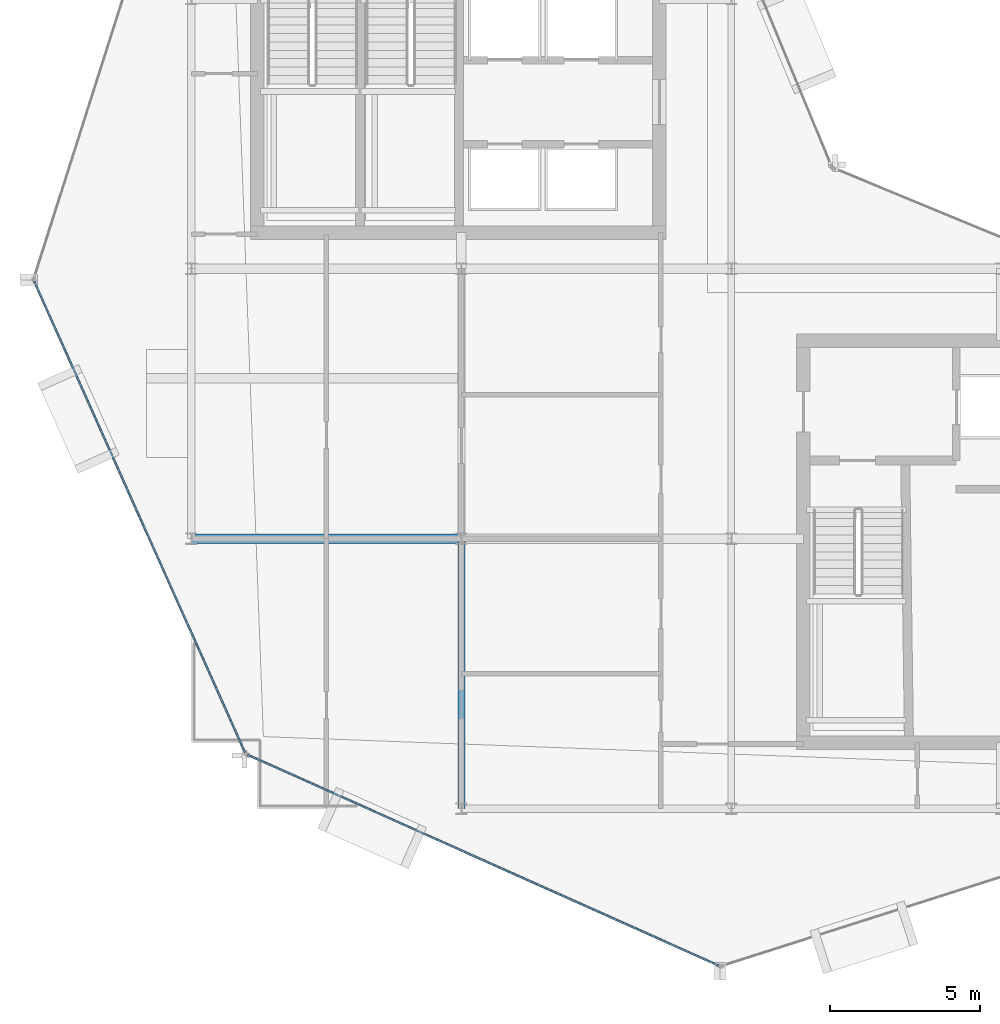
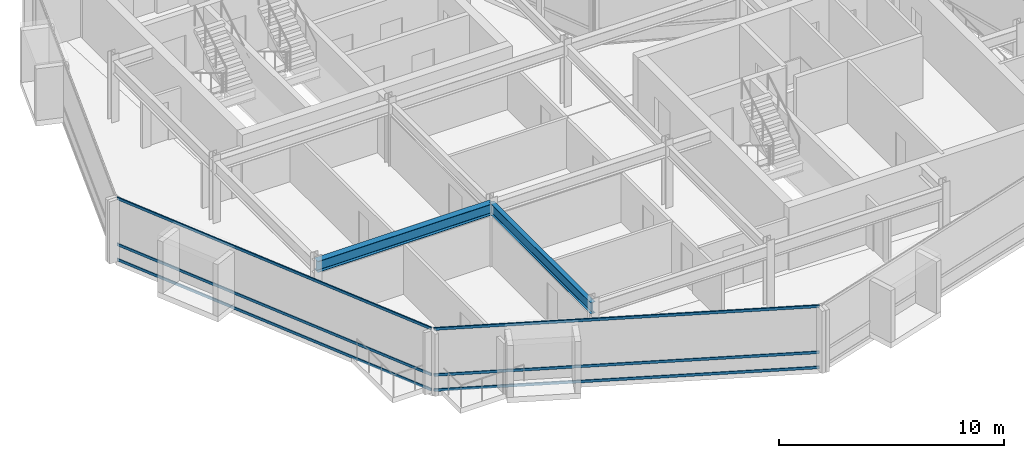
# One storey, part 3 of 19: 6 members, 2 beams, 2 elements without a shape of their own.
"""IFC4 building model written with IfcOpenShell, lengths in metres."""

from ifc_helpers import new_model, si_unit, direction, frame, origin, origin_2d, place, context, subcontext, project, spatial, hollow_rectangle, i_section, extrude, material, layer, layer_set, material_profile, profile_set, type_object, element, aggregate, save


model = new_model("IFC4")

# Units and contexts
model_context = context("Model", 3, precision=1e-05, world=origin(), true_north=direction((0.0, 1.0)))
body_context = subcontext(model_context, "Body", "Model", "MODEL_VIEW")
ifc_project = project(units=[si_unit("LENGTHUNIT", "METRE"), si_unit("AREAUNIT", "SQUARE_METRE"), si_unit("VOLUMEUNIT", "CUBIC_METRE"), si_unit("PLANEANGLEUNIT", "RADIAN"), si_unit("MASSUNIT", "GRAM", prefix="KILO")], contexts=[model_context])

# Site, building, storey
site_placement = place(None, origin())
site = spatial("IfcSite", under=ifc_project, at=site_placement, CompositionType="ELEMENT")
building_placement = place(site_placement, origin())
building = spatial("IfcBuilding", under=site, at=building_placement, Name="Solvaryn Broadcast Tower", CompositionType="ELEMENT")
storey_placement = place(building_placement, frame((0.0, 0.0, 293.699951171875)))
storey = spatial("IfcBuildingStorey", under=building, at=storey_placement, Name="L74", CompositionType="ELEMENT", Elevation=293.699951171875)

# Beams
ifc_material_1 = material(Name="Steel ASTM A992 Grade 50", Category="steel")
ifc_material_profile_1 = material_profile(ifc_material_1, i_section(OverallWidth=0.323974609375, OverallDepth=0.611083984375, WebThickness=0.0126953125, FlangeThickness=0.01904296875, FilletRadius=0.014892578125, at=origin_2d()))
ifc_profile_set_1 = profile_set([ifc_material_profile_1], Name="Steel ASTM A992 Grade 50")
beam_type_1 = type_object("IfcBeamType", Name="BM-B1-W24X104", PredefinedType="BEAM", material=ifc_profile_set_1)
beam_1_placement = place(storey_placement, frame((9.0, 18.0, 3.064453125), z_axis=(1.0, 0.0, 0.0), x_axis=(0.0, 1.0, 0.0)))
element("IfcBeam", 1, at=beam_1_placement, inside=storey, type_object=beam_type_1, Name="L74 Primary Beam X (9-18 @ Y=18)", PredefinedType="BEAM", context=body_context, shape_type="SweptSolid", body=[
    extrude(i_section(OverallWidth=0.323974609375, OverallDepth=0.611083984375, WebThickness=0.0126953125, FlangeThickness=0.01904296875, FilletRadius=0.014892578125, at=origin_2d()), origin(), (0.0, 0.0, 1.0), 9.0),
])
ifc_material_2 = material(Name="Steel ASTM A992 Grade 50", Category="steel")
ifc_material_profile_2 = material_profile(ifc_material_2, i_section(OverallWidth=0.22802734375, OverallDepth=0.60791015625, WebThickness=0.01123046875, FlangeThickness=0.017333984375, FilletRadius=0.014892578125, at=origin_2d()))
ifc_profile_set_2 = profile_set([ifc_material_profile_2], Name="Steel ASTM A992 Grade 50")
beam_type_2 = type_object("IfcBeamType", Name="BM-B2-W24X76", PredefinedType="BEAM", material=ifc_profile_set_2)
beam_2_placement = place(storey_placement, frame((18.0, 9.0, 3.066162109375), z_axis=(0.0, 1.0, 0.0), x_axis=(-1.0, 0.0, 0.0)))
element("IfcBeam", 2, at=beam_2_placement, inside=storey, type_object=beam_type_2, Name="L74 Primary Beam Y (9-18 @ X=18)", PredefinedType="BEAM", context=body_context, shape_type="SweptSolid", body=[
    extrude(i_section(OverallWidth=0.22802734375, OverallDepth=0.60791015625, WebThickness=0.01123046875, FlangeThickness=0.017333984375, FilletRadius=0.014892578125, at=origin_2d()), origin(), (0.0, 0.0, 1.0), 9.0),
])

# Curtain wall, members
ifc_material_3 = material(Name="Aluminium and Terracotta Unitised Curtain Wall", Category="masonry")
ifc_layer = layer(ifc_material_3, 0.199951171875)
ifc_layer_set = layer_set([ifc_layer], Name="CW-SYS2-LOWMID")
curtain_wall_type = type_object("IfcCurtainWallType", Name="CW-SYS2-LOWMID", PredefinedType="NOTDEFINED", material=ifc_layer_set)
curtain_wall_1_placement = place(storey_placement, origin())
curtain_wall_1 = element("IfcCurtainWall", 3, at=curtain_wall_1_placement, inside=storey, type_object=curtain_wall_type, Name="L74 Curtain Wall DR2", PredefinedType="NOTDEFINED")
ifc_material_4 = material(Name="Anodised Aluminium 6063-T6", Category="aluminium")
ifc_material_profile_3 = material_profile(ifc_material_4, hollow_rectangle(XDim=0.06494140625, YDim=0.14990234375, WallThickness=0.00390625, InnerFilletRadius=0.00390625, OuterFilletRadius=0.008056640625, at=origin_2d()))
ifc_profile_set_3 = profile_set([ifc_material_profile_3], Name="Anodised Aluminium 6063-T6")
member_type = type_object("IfcMemberType", Name="CW-TRN-150", PredefinedType="USERDEFINED", material=ifc_profile_set_3)
member_1_placement = place(storey_placement, frame((3.762451171875, 26.581298828125, 0.030029296875), z_axis=(0.408468080937, -0.912772604133, 0.0), x_axis=(0.912772604133, 0.408468080937, 0.0)))
member_1 = element("IfcMember", 4, at=member_1_placement, type_object=member_type, Name="CWS2 transom 1.1", ObjectType="TRANSOM", PredefinedType="USERDEFINED", context=body_context, shape_type="SweptSolid", body=[
    extrude(hollow_rectangle(XDim=0.06494140625, YDim=0.14990234375, WallThickness=0.00390625, InnerFilletRadius=0.00390625, OuterFilletRadius=0.008056640625, at=origin_2d()), origin(), (0.0, 0.0, 1.0), 17.210693359375),
])
member_2_placement = place(storey_placement, frame((3.762451171875, 26.581298828125, 0.85009765625), z_axis=(0.408468080937, -0.912772604133, 0.0), x_axis=(0.912772604133, 0.408468080937, 0.0)))
member_2 = element("IfcMember", 5, at=member_2_placement, type_object=member_type, Name="CWS2 transom 1.2", ObjectType="TRANSOM", PredefinedType="USERDEFINED", context=body_context, shape_type="SweptSolid", body=[
    extrude(hollow_rectangle(XDim=0.06494140625, YDim=0.14990234375, WallThickness=0.00390625, InnerFilletRadius=0.00390625, OuterFilletRadius=0.008056640625, at=origin_2d()), origin(), (0.0, 0.0, 1.0), 17.210693359375),
])
member_3_placement = place(storey_placement, frame((3.762451171875, 26.581298828125, 3.340087890625), z_axis=(0.408468080937, -0.912772604133, 0.0), x_axis=(0.912772604133, 0.408468080937, 0.0)))
member_3 = element("IfcMember", 6, at=member_3_placement, type_object=member_type, Name="CWS2 transom 1.3", ObjectType="TRANSOM", PredefinedType="USERDEFINED", context=body_context, shape_type="SweptSolid", body=[
    extrude(hollow_rectangle(XDim=0.06494140625, YDim=0.14990234375, WallThickness=0.00390625, InnerFilletRadius=0.00390625, OuterFilletRadius=0.008056640625, at=origin_2d()), origin(), (0.0, 0.0, 1.0), 17.210693359375),
])
aggregate(curtain_wall_1, [member_1, member_2, member_3])

curtain_wall_2_placement = place(storey_placement, origin())
curtain_wall_2 = element("IfcCurtainWall", 7, at=curtain_wall_2_placement, inside=storey, type_object=curtain_wall_type, Name="L74 Curtain Wall DR3", PredefinedType="NOTDEFINED")
member_4_placement = place(storey_placement, frame((10.871826171875, 10.79248046875, 0.030029296875), z_axis=(0.912772604133, -0.408468080937, 0.0), x_axis=(0.408468080937, 0.912772604133, 0.0)))
member_4 = element("IfcMember", 8, at=member_4_placement, type_object=member_type, Name="CWS2 transom 1.1", ObjectType="TRANSOM", PredefinedType="USERDEFINED", context=body_context, shape_type="SweptSolid", body=[
    extrude(hollow_rectangle(XDim=0.06494140625, YDim=0.14990234375, WallThickness=0.00390625, InnerFilletRadius=0.00390625, OuterFilletRadius=0.008056640625, at=origin_2d()), origin(), (0.0, 0.0, 1.0), 17.210693359375),
])
member_5_placement = place(storey_placement, frame((10.871826171875, 10.79248046875, 0.85009765625), z_axis=(0.912772604133, -0.408468080937, 0.0), x_axis=(0.408468080937, 0.912772604133, 0.0)))
member_5 = element("IfcMember", 9, at=member_5_placement, type_object=member_type, Name="CWS2 transom 1.2", ObjectType="TRANSOM", PredefinedType="USERDEFINED", context=body_context, shape_type="SweptSolid", body=[
    extrude(hollow_rectangle(XDim=0.06494140625, YDim=0.14990234375, WallThickness=0.00390625, InnerFilletRadius=0.00390625, OuterFilletRadius=0.008056640625, at=origin_2d()), origin(), (0.0, 0.0, 1.0), 17.210693359375),
])
member_6_placement = place(storey_placement, frame((10.871826171875, 10.79248046875, 3.340087890625), z_axis=(0.912772604133, -0.408468080937, 0.0), x_axis=(0.408468080937, 0.912772604133, 0.0)))
member_6 = element("IfcMember", 10, at=member_6_placement, type_object=member_type, Name="CWS2 transom 1.3", ObjectType="TRANSOM", PredefinedType="USERDEFINED", context=body_context, shape_type="SweptSolid", body=[
    extrude(hollow_rectangle(XDim=0.06494140625, YDim=0.14990234375, WallThickness=0.00390625, InnerFilletRadius=0.00390625, OuterFilletRadius=0.008056640625, at=origin_2d()), origin(), (0.0, 0.0, 1.0), 17.210693359375),
])
aggregate(curtain_wall_2, [member_4, member_5, member_6])

save(model, "model.ifc")
